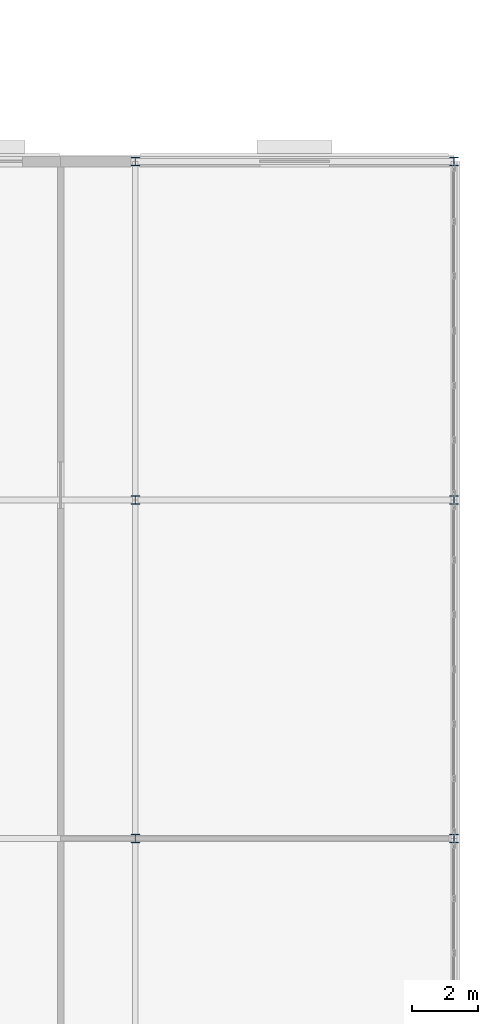
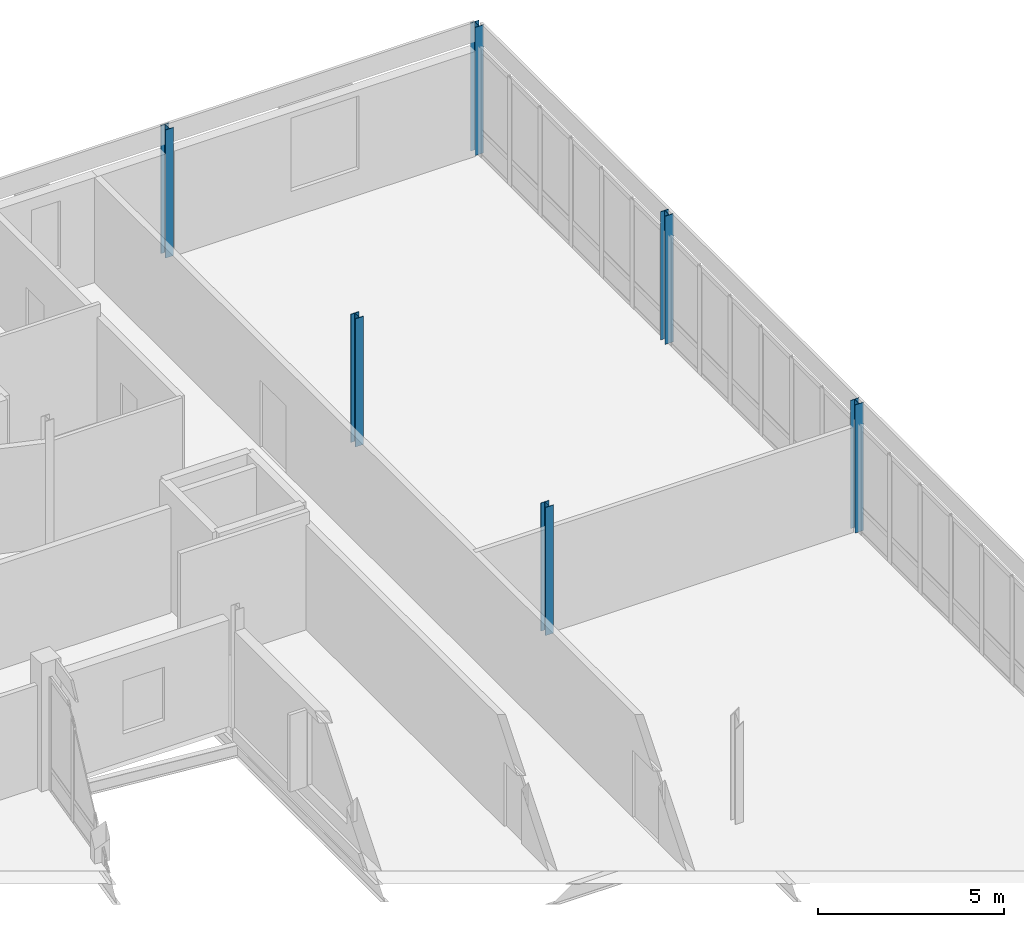
# One storey, part 18 of 170: 6 columns.
"""IFC4 building model written with IfcOpenShell, lengths in metres."""

from ifc_helpers import new_model, si_unit, direction, frame, origin, origin_2d, place, context, subcontext, project, spatial, i_section, extrude, material, material_profile, profile_set, type_object, element, save


model = new_model("IFC4")

# Units and contexts
model_context = context("Model", 3, precision=1e-05, world=origin(), true_north=direction((0.0, 1.0)))
body_context = subcontext(model_context, "Body", "Model", "MODEL_VIEW")
ifc_project = project(units=[si_unit("LENGTHUNIT", "METRE"), si_unit("AREAUNIT", "SQUARE_METRE"), si_unit("VOLUMEUNIT", "CUBIC_METRE"), si_unit("PLANEANGLEUNIT", "RADIAN"), si_unit("MASSUNIT", "GRAM", prefix="KILO")], contexts=[model_context])

# Site, building, storey
site_placement = place(None, origin())
site = spatial("IfcSite", under=ifc_project, at=site_placement, CompositionType="ELEMENT")
building_placement = place(site_placement, origin())
building = spatial("IfcBuilding", under=site, at=building_placement, Name="Vondelvale Polytechnic", CompositionType="ELEMENT")
storey_placement = place(building_placement, frame((0.0, 0.0, 5.39990234375)))
storey = spatial("IfcBuildingStorey", under=building, at=storey_placement, Name="L01", CompositionType="ELEMENT", Elevation=5.39990234375)

# Columns
ifc_material = material(Name="Steel 300PLUS (fy = 300 MPa)", Category="steel")
ifc_material_profile = material_profile(ifc_material, i_section(OverallWidth=0.256103515625, OverallDepth=0.260009765625, WebThickness=0.010498046875, FlangeThickness=0.017333984375, FilletRadius=0.013916015625, at=origin_2d()), Name="250UC89.5")
ifc_profile_set = profile_set([ifc_material_profile], Name="Steel 300PLUS (fy = 300 MPa)")
column_type = type_object("IfcColumnType", Name="COL-UC250", PredefinedType="COLUMN", material=ifc_profile_set)
for number, where, z_axis, x_axis, name in (
    (1, (163.199951171875, 71.39990234375, 0.0), (0.0, 0.0, 1.0), (1.0, 0.0, 0.0), "L01 East pavilion column (163.2,71.4)"),
    (2, (163.199951171875, 81.60009765625, 0.0), (0.0, 0.0, 1.0), (1.0, 0.0, 0.0), "L01 East pavilion column (163.2,81.6)"),
    (3, (163.199951171875, 91.800048828125, 0.0), (0.0, 0.0, 1.0), (1.0, 0.0, 0.0), "L01 East pavilion column (163.2,91.8)"),
    (4, (172.800048828125, 71.39990234375, 0.0), (0.0, 0.0, 1.0), (1.0, 0.0, 0.0), "L01 East pavilion column (172.8,71.4)"),
    (5, (172.800048828125, 81.60009765625, 0.0), (0.0, 0.0, 1.0), (1.0, 0.0, 0.0), "L01 East pavilion column (172.8,81.6)"),
    (6, (172.800048828125, 91.800048828125, 0.0), (0.0, 0.0, 1.0), (1.0, 0.0, 0.0), "L01 East pavilion column (172.8,91.8)"),
):
    element("IfcColumn", number, at=place(storey_placement, frame(where, z_axis=z_axis, x_axis=x_axis)), inside=storey, type_object=column_type, Name=name, PredefinedType="COLUMN", context=body_context, shape_type="SweptSolid", body=[
        extrude(i_section(OverallWidth=0.256103515625, OverallDepth=0.260009765625, WebThickness=0.010498046875, FlangeThickness=0.017333984375, FilletRadius=0.013916015625, at=origin_2d()), origin(), (0.0, 0.0, 1.0), 4.2001953125),
    ])

save(model, "model.ifc")
